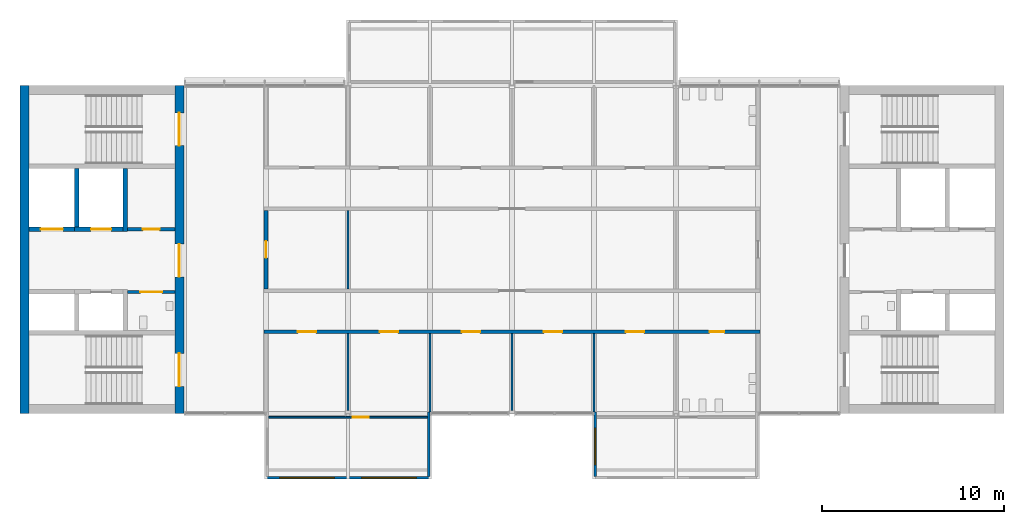
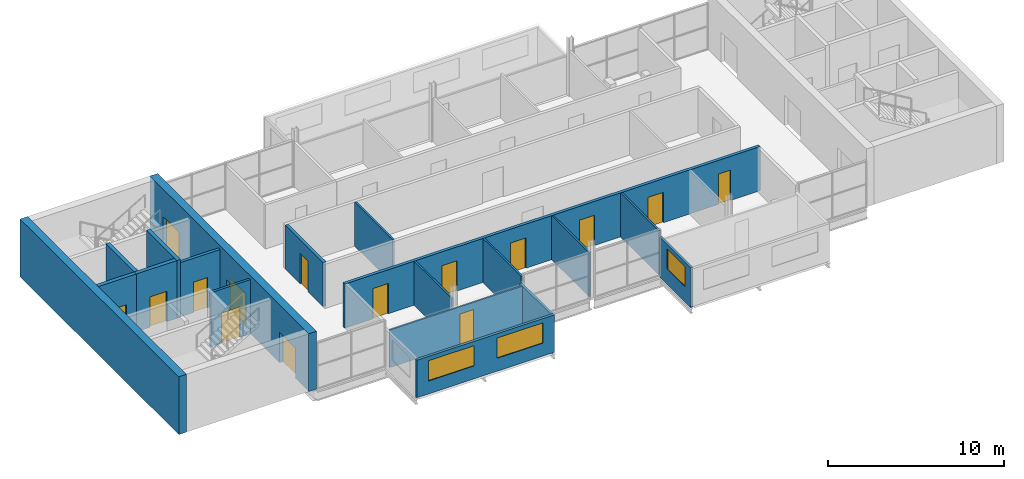
# One storey, part 5 of 10: 19 walls, 15 doors, 3 windows, 18 openings.
"""IFC4 building model written with IfcOpenShell, lengths in metres."""

from ifc_helpers import new_model, si_unit, direction, frame, frame_2d, origin, place, context, subcontext, project, spatial, rectangle, extrude, material, layer, layer_set, type_object, element, fill, save


model = new_model("IFC4")

# Units and contexts
model_context = context("Model", 3, precision=1e-05, world=origin(), true_north=direction((0.0, 1.0)))
body_context = subcontext(model_context, "Body", "Model", "MODEL_VIEW")
ifc_project = project(units=[si_unit("LENGTHUNIT", "METRE"), si_unit("AREAUNIT", "SQUARE_METRE"), si_unit("VOLUMEUNIT", "CUBIC_METRE"), si_unit("PLANEANGLEUNIT", "RADIAN"), si_unit("MASSUNIT", "GRAM", prefix="KILO")], contexts=[model_context])

# Site, building, storey
site_placement = place(None, origin())
site = spatial("IfcSite", under=ifc_project, at=site_placement, CompositionType="ELEMENT")
building_placement = place(site_placement, origin())
building = spatial("IfcBuilding", under=site, at=building_placement, Name="Corbel Yard City Hall", CompositionType="ELEMENT")
storey_placement = place(building_placement, frame((0.0, 0.0, 63.199951171875)))
storey = spatial("IfcBuildingStorey", under=building, at=storey_placement, Name="L15", CompositionType="ELEMENT", Elevation=63.199951171875)

# Walls
ifc_material_1 = material(Name="Concrete N40 (40 MPa)", Category="concrete")
ifc_layer_1 = layer(ifc_material_1, 0.25)
ifc_layer_set_1 = layer_set([ifc_layer_1], Name="Concrete N40 (40 MPa)")
wall_type_1 = type_object("IfcWallType", Name="IW2", PredefinedType="SOLIDWALL", material=ifc_layer_set_1)
wall_1_placement = place(storey_placement, frame((5.77490234375, 109.0, 0.0), z_axis=(0.0, 0.0, 1.0), x_axis=(0.0, 1.0, 0.0)))
element("IfcWall", 1, at=wall_1_placement, inside=storey, type_object=wall_type_1, Name="Lift LP24 shaft wall", PredefinedType="SOLIDWALL", context=body_context, shape_type="SweptSolid", body=[
    extrude(rectangle(XDim=3.449951171875, YDim=0.25, at=frame_2d((1.72509765625, 0.0))), origin(), (0.0, 0.0, 1.0), 4.0),
])
wall_2_placement = place(storey_placement, frame((3.125, 109.25, 0.0), z_axis=(0.0, 0.0, 1.0), x_axis=(0.0, 1.0, 0.0)))
element("IfcWall", 2, at=wall_2_placement, inside=storey, type_object=wall_type_1, Name="Lift LP24 shaft wall", PredefinedType="SOLIDWALL", context=body_context, shape_type="SweptSolid", body=[
    extrude(rectangle(XDim=3.199951171875, YDim=0.25, at=frame_2d((1.60009765625, 0.0))), origin(), (0.0, 0.0, 1.0), 4.0),
])

# Wall, opening, door
wall_3_placement = place(storey_placement, frame((5.64990234375, 109.125, 0.0), z_axis=(0.0, 0.0, 1.0), x_axis=(-1.0, 0.0, 0.0)))
wall_3 = element("IfcWall", 3, at=wall_3_placement, inside=storey, type_object=wall_type_1, Name="Lift LP24 shaft wall", PredefinedType="SOLIDWALL", context=body_context, shape_type="SweptSolid", body=[
    extrude(rectangle(XDim=2.64990234375, YDim=0.25, at=frame_2d((1.324951171875, 0.0))), origin(), (0.0, 0.0, 1.0), 4.0),
])
opening_1_placement = place(wall_3_placement, frame((0.64990234375, 0.0, 0.0)))
opening_1 = element("IfcOpeningElement", 4, at=opening_1_placement, cuts=wall_3, Name="Opening T4-005", PredefinedType="OPENING", context=body_context, shape_type="SweptSolid", body=[
    extrude(rectangle(XDim=1.10009765625, YDim=2.10009765625, at=frame_2d((0.550048828125, 1.050048828125))), frame((0.0, 0.135009765625, 0.0), z_axis=(0.0, -1.0, 0.0), x_axis=(1.0, 0.0, 0.0)), (0.0, 0.0, 1.0), 0.27001953125),
])
ifc_material_2 = material(Name="Stainless steel Grade 316", Category="steel")
door_type_1 = type_object("IfcDoorType", Name="LD1", OperationType="DOUBLE_DOOR_SLIDING", PredefinedType="DOOR", material=ifc_material_2)
door_1_placement = place(opening_1_placement, origin())
door_1 = element("IfcDoor", 5, at=door_1_placement, inside=storey, type_object=door_type_1, Name="Lift LP24 landing door", OperationType="DOUBLE_DOOR_SLIDING", OverallHeight=2.10009765625, OverallWidth=1.10009765625, PredefinedType="DOOR", context=body_context, shape_type="SweptSolid", body=[
    extrude(rectangle(XDim=1.10009765625, YDim=2.10009765625, at=frame_2d((0.550048828125, 1.050048828125))), frame((0.0, 0.02490234375, 0.0), z_axis=(0.0, -1.0, 0.0), x_axis=(1.0, 0.0, 0.0)), (0.0, 0.0, 1.0), 0.050048828125),
])
fill(opening_1, door_1)

wall_4_placement = place(storey_placement, frame((3.0, 109.125, 0.0), z_axis=(0.0, 0.0, 1.0), x_axis=(-1.0, 0.0, 0.0)))
wall_4 = element("IfcWall", 6, at=wall_4_placement, inside=storey, type_object=wall_type_1, Name="Lift LF1 shaft wall", PredefinedType="SOLIDWALL", context=body_context, shape_type="SweptSolid", body=[
    extrude(rectangle(XDim=2.5, YDim=0.25, at=frame_2d((1.25, 0.0))), origin(), (0.0, 0.0, 1.0), 4.0),
])
opening_2_placement = place(wall_4_placement, frame((0.64990234375, 0.0, 0.0)))
opening_2 = element("IfcOpeningElement", 7, at=opening_2_placement, cuts=wall_4, Name="Opening T4-006", PredefinedType="OPENING", context=body_context, shape_type="SweptSolid", body=[
    extrude(rectangle(XDim=1.199951171875, YDim=2.10009765625, at=frame_2d((0.60009765625, 1.050048828125))), frame((0.0, 0.135009765625, 0.0), z_axis=(0.0, -1.0, 0.0), x_axis=(1.0, 0.0, 0.0)), (0.0, 0.0, 1.0), 0.27001953125),
])
door_type_2 = type_object("IfcDoorType", Name="LD2", OperationType="DOUBLE_DOOR_SLIDING", PredefinedType="DOOR", material=ifc_material_2)
door_2_placement = place(opening_2_placement, origin())
door_2 = element("IfcDoor", 8, at=door_2_placement, inside=storey, type_object=door_type_2, Name="Lift LF1 landing door", OperationType="DOUBLE_DOOR_SLIDING", OverallHeight=2.10009765625, OverallWidth=1.199951171875, PredefinedType="DOOR", context=body_context, shape_type="SweptSolid", body=[
    extrude(rectangle(XDim=1.199951171875, YDim=2.10009765625, at=frame_2d((0.60009765625, 1.050048828125))), frame((0.0, 0.02490234375, 0.0), z_axis=(0.0, -1.0, 0.0), x_axis=(1.0, 0.0, 0.0)), (0.0, 0.0, 1.0), 0.050048828125),
])
fill(opening_2, door_2)

# Wall, openings, windows
ifc_material_3 = material(Name="Anodised aluminium", Category="aluminium")
ifc_layer_2 = layer(ifc_material_3, 0.02392578125)
ifc_material_4 = material(Name="Steel Grade G550 (550 MPa yield)", Category="steel")
ifc_layer_3 = layer(ifc_material_4, 0.10009765625)
ifc_material_5 = material(Name="Gypsum plasterboard", Category="gypsum")
ifc_layer_4 = layer(ifc_material_5, 0.02587890625)
ifc_layer_set_2 = layer_set([ifc_layer_2, ifc_layer_3, ifc_layer_4], Name="Steel Grade G550 (550 MPa yield)")
wall_type_2 = type_object("IfcWallType", Name="PD1", PredefinedType="SOLIDWALL", material=ifc_layer_set_2)
wall_5_placement = place(storey_placement, frame((13.5, 95.47509765625, 0.0), z_axis=(0.0, 0.0, 1.0), x_axis=(1.0, 0.0, 0.0)))
wall_5 = element("IfcWall", 9, at=wall_5_placement, inside=storey, type_object=wall_type_2, Name="Pod outer wall L15", PredefinedType="SOLIDWALL", context=body_context, shape_type="SweptSolid", body=[
    extrude(rectangle(XDim=9.0, YDim=0.14990234375, at=frame_2d((4.5, 0.0))), origin(), (0.0, 0.0, 1.0), 2.60009765625),
])
opening_3_placement = place(wall_5_placement, frame((0.75, 0.0, 0.89990234375)))
opening_3 = element("IfcOpeningElement", 10, at=opening_3_placement, cuts=wall_5, Name="Opening WN5", PredefinedType="OPENING", context=body_context, shape_type="SweptSolid", body=[
    extrude(rectangle(XDim=3.0, YDim=1.39990234375, at=frame_2d((1.5, 0.699951171875))), frame((0.0, 0.0849609375, 0.0), z_axis=(0.0, -1.0, 0.0), x_axis=(1.0, 0.0, 0.0)), (0.0, 0.0, 1.0), 0.169921875),
])
opening_4_placement = place(wall_5_placement, frame((5.25, 0.0, 0.89990234375)))
opening_4 = element("IfcOpeningElement", 11, at=opening_4_placement, cuts=wall_5, Name="Opening WN5", PredefinedType="OPENING", context=body_context, shape_type="SweptSolid", body=[
    extrude(rectangle(XDim=3.0, YDim=1.39990234375, at=frame_2d((1.5, 0.699951171875))), frame((0.0, 0.0849609375, 0.0), z_axis=(0.0, -1.0, 0.0), x_axis=(1.0, 0.0, 0.0)), (0.0, 0.0, 1.0), 0.169921875),
])
ifc_material_6 = material(Name="Aluminium frame, double glazed low-e glass", Category="aluminium")
window_type_1 = type_object("IfcWindowType", Name="WN5", PartitioningType="SINGLE_PANEL", PredefinedType="WINDOW", material=ifc_material_6)
window_1_placement = place(opening_3_placement, origin())
window_1 = element("IfcWindow", 12, at=window_1_placement, inside=storey, type_object=window_type_1, Name="Window WN5 L15", OverallHeight=1.39990234375, OverallWidth=3.0, PartitioningType="SINGLE_PANEL", PredefinedType="WINDOW", context=body_context, shape_type="SweptSolid", body=[
    extrude(rectangle(XDim=3.0, YDim=1.39990234375, at=frame_2d((1.5, 0.699951171875))), frame((0.0, 0.030029296875, 0.0), z_axis=(0.0, -1.0, 0.0), x_axis=(1.0, 0.0, 0.0)), (0.0, 0.0, 1.0), 0.06005859375),
])
fill(opening_3, window_1)
window_2_placement = place(opening_4_placement, origin())
window_2 = element("IfcWindow", 13, at=window_2_placement, inside=storey, type_object=window_type_1, Name="Window WN5 L15", OverallHeight=1.39990234375, OverallWidth=3.0, PartitioningType="SINGLE_PANEL", PredefinedType="WINDOW", context=body_context, shape_type="SweptSolid", body=[
    extrude(rectangle(XDim=3.0, YDim=1.39990234375, at=frame_2d((1.5, 0.699951171875))), frame((0.0, 0.030029296875, 0.0), z_axis=(0.0, -1.0, 0.0), x_axis=(1.0, 0.0, 0.0)), (0.0, 0.0, 1.0), 0.06005859375),
])
fill(opening_4, window_2)

# Wall, opening, door
ifc_layer_5 = layer(ifc_material_5, 0.01806640625)
ifc_layer_6 = layer(ifc_material_4, 0.06396484375)
ifc_layer_7 = layer(ifc_material_5, 0.01806640625)
ifc_layer_set_3 = layer_set([ifc_layer_5, ifc_layer_6, ifc_layer_7], Name="Steel Grade G550 (550 MPa yield)")
wall_type_3 = type_object("IfcWallType", Name="PD2", PredefinedType="PARTITIONING", material=ifc_layer_set_3)
wall_6_placement = place(storey_placement, frame((13.64990234375, 98.79638671875, 0.0), z_axis=(0.0, 0.0, 1.0), x_axis=(1.0, 0.0, 0.0)))
wall_6 = element("IfcWall", 14, at=wall_6_placement, inside=storey, type_object=wall_type_3, Name="Pod inner wall L15", PredefinedType="PARTITIONING", context=body_context, shape_type="SweptSolid", body=[
    extrude(rectangle(XDim=8.7001953125, YDim=0.10009765625, at=frame_2d((4.35009765625, 0.0))), origin(), (0.0, 0.0, 1.0), 2.60009765625),
])
opening_5_placement = place(wall_6_placement, frame((4.60009765625, 0.0, 0.0)))
opening_5 = element("IfcOpeningElement", 15, at=opening_5_placement, cuts=wall_6, Name="Opening T4-001", PredefinedType="OPENING", context=body_context, shape_type="SweptSolid", body=[
    extrude(rectangle(XDim=0.89990234375, YDim=2.10009765625, at=frame_2d((0.449951171875, 1.050048828125))), frame((0.0, 0.06005859375, 0.0), z_axis=(0.0, -1.0, 0.0), x_axis=(1.0, 0.0, 0.0)), (0.0, 0.0, 1.0), 0.1201171875),
])
ifc_material_7 = material(Name="Timber, solid core", Category="wood")
door_type_3 = type_object("IfcDoorType", Name="XD6", OperationType="SINGLE_SWING_LEFT", PredefinedType="DOOR", material=ifc_material_7)
door_3_placement = place(opening_5_placement, origin())
door_3 = element("IfcDoor", 16, at=door_3_placement, inside=storey, type_object=door_type_3, Name="Pod door L15", OperationType="SINGLE_SWING_LEFT", OverallHeight=2.10009765625, OverallWidth=0.89990234375, PredefinedType="DOOR", context=body_context, shape_type="SweptSolid", body=[
    extrude(rectangle(XDim=0.89990234375, YDim=2.10009765625, at=frame_2d((0.449951171875, 1.050048828125))), frame((0.0, 0.02490234375, 0.0), z_axis=(0.0, -1.0, 0.0), x_axis=(1.0, 0.0, 0.0)), (0.0, 0.0, 1.0), 0.050048828125),
])
fill(opening_5, door_3)

# Wall
ifc_layer_8 = layer(ifc_material_3, 0.02392578125)
ifc_layer_9 = layer(ifc_material_4, 0.10009765625)
ifc_layer_10 = layer(ifc_material_5, 0.02587890625)
ifc_layer_set_4 = layer_set([ifc_layer_8, ifc_layer_9, ifc_layer_10], Name="Steel Grade G550 (550 MPa yield)")
wall_type_4 = type_object("IfcWallType", Name="PD3", PredefinedType="SOLIDWALL", material=ifc_layer_set_4)
wall_7_placement = place(storey_placement, frame((22.425048828125, 95.550048828125, -0.14990234375), z_axis=(0.0, 0.0, 1.0), x_axis=(0.0, 1.0, 0.0)))
element("IfcWall", 17, at=wall_7_placement, inside=storey, type_object=wall_type_4, Name="Pod side wall L15", PredefinedType="SOLIDWALL", context=body_context, shape_type="SweptSolid", body=[
    extrude(rectangle(XDim=3.52490234375, YDim=0.14990234375, at=frame_2d((1.762451171875, 0.0))), origin(), (0.0, 0.0, 1.0), 2.75),
])

# Wall, opening, window
wall_8_placement = place(storey_placement, frame((31.574951171875, 95.550048828125, -0.14990234375), z_axis=(0.0, 0.0, 1.0), x_axis=(0.0, 1.0, 0.0)))
wall_8 = element("IfcWall", 18, at=wall_8_placement, inside=storey, type_object=wall_type_4, Name="Pod side wall L15", PredefinedType="SOLIDWALL", context=body_context, shape_type="SweptSolid", body=[
    extrude(rectangle(XDim=3.52490234375, YDim=0.14990234375, at=frame_2d((1.762451171875, 0.0))), origin(), (0.0, 0.0, 1.0), 2.75),
])
opening_6_placement = place(wall_8_placement, frame((0.648193359375, 0.0, 1.050048828125)))
opening_6 = element("IfcOpeningElement", 19, at=opening_6_placement, cuts=wall_8, Name="Opening WN6", PredefinedType="OPENING", context=body_context, shape_type="SweptSolid", body=[
    extrude(rectangle(XDim=2.0, YDim=1.39990234375, at=frame_2d((1.0, 0.699951171875))), frame((0.0, 0.0849609375, 0.0), z_axis=(0.0, -1.0, 0.0), x_axis=(1.0, 0.0, 0.0)), (0.0, 0.0, 1.0), 0.169921875),
])
window_type_2 = type_object("IfcWindowType", Name="WN6", PartitioningType="SINGLE_PANEL", PredefinedType="WINDOW", material=ifc_material_6)
window_3_placement = place(opening_6_placement, origin())
window_3 = element("IfcWindow", 20, at=window_3_placement, inside=storey, type_object=window_type_2, Name="Window WN6 L15", OverallHeight=1.39990234375, OverallWidth=2.0, PartitioningType="SINGLE_PANEL", PredefinedType="WINDOW", context=body_context, shape_type="SweptSolid", body=[
    extrude(rectangle(XDim=2.0, YDim=1.39990234375, at=frame_2d((1.0, 0.699951171875))), frame((0.0, 0.030029296875, 0.0), z_axis=(0.0, -1.0, 0.0), x_axis=(1.0, 0.0, 0.0)), (0.0, 0.0, 1.0), 0.06005859375),
])
fill(opening_6, window_3)

# Walls
ifc_layer_11 = layer(ifc_material_5, 0.028076171875)
ifc_layer_12 = layer(ifc_material_4, 0.06396484375)
ifc_layer_13 = layer(ifc_material_5, 0.028076171875)
ifc_layer_set_5 = layer_set([ifc_layer_11, ifc_layer_12, ifc_layer_13], Name="Steel Grade G550 (550 MPa yield)")
wall_type_5 = type_object("IfcWallType", Name="PT1", PredefinedType="PARTITIONING", material=ifc_layer_set_5)
wall_9_placement = place(storey_placement, frame((18.0, 99.157470703125, 0.0), z_axis=(0.0, 0.0, 1.0), x_axis=(0.0, 1.0, 0.0)))
element("IfcWall", 21, at=wall_9_placement, inside=storey, type_object=wall_type_5, Name="Partition", PredefinedType="PARTITIONING", context=body_context, shape_type="SweptSolid", body=[
    extrude(rectangle(XDim=4.242431640625, YDim=0.1201171875, at=frame_2d((2.12109375, 0.0))), origin(), (0.0, 0.0, 1.0), 3.050048828125),
])
wall_10_placement = place(storey_placement, frame((18.0, 105.85009765625, 0.0), z_axis=(0.0, 0.0, 1.0), x_axis=(0.0, 1.0, 0.0)))
element("IfcWall", 22, at=wall_10_placement, inside=storey, type_object=wall_type_5, Name="Partition", PredefinedType="PARTITIONING", context=body_context, shape_type="SweptSolid", body=[
    extrude(rectangle(XDim=4.2998046875, YDim=0.1201171875, at=frame_2d((2.14990234375, 0.0))), origin(), (0.0, 0.0, 1.0), 3.050048828125),
])
wall_11_placement = place(storey_placement, frame((22.5, 99.074951171875, 0.0), z_axis=(0.0, 0.0, 1.0), x_axis=(0.0, 1.0, 0.0)))
element("IfcWall", 23, at=wall_11_placement, inside=storey, type_object=wall_type_5, Name="Partition", PredefinedType="PARTITIONING", context=body_context, shape_type="SweptSolid", body=[
    extrude(rectangle(XDim=4.324951171875, YDim=0.1201171875, at=frame_2d((2.16259765625, 0.0))), origin(), (0.0, 0.0, 1.0), 3.050048828125),
])
wall_12_placement = place(storey_placement, frame((27.0, 99.157470703125, 0.0), z_axis=(0.0, 0.0, 1.0), x_axis=(0.0, 1.0, 0.0)))
element("IfcWall", 24, at=wall_12_placement, inside=storey, type_object=wall_type_5, Name="Partition", PredefinedType="PARTITIONING", context=body_context, shape_type="SweptSolid", body=[
    extrude(rectangle(XDim=4.242431640625, YDim=0.1201171875, at=frame_2d((2.12109375, 0.0))), origin(), (0.0, 0.0, 1.0), 3.050048828125),
])
wall_13_placement = place(storey_placement, frame((31.5, 99.074951171875, 0.0), z_axis=(0.0, 0.0, 1.0), x_axis=(0.0, 1.0, 0.0)))
element("IfcWall", 25, at=wall_13_placement, inside=storey, type_object=wall_type_5, Name="Partition", PredefinedType="PARTITIONING", context=body_context, shape_type="SweptSolid", body=[
    extrude(rectangle(XDim=4.324951171875, YDim=0.1201171875, at=frame_2d((2.16259765625, 0.0))), origin(), (0.0, 0.0, 1.0), 3.050048828125),
])

# Wall, openings, doors
ifc_layer_14 = layer(ifc_material_5, 0.031982421875)
ifc_layer_15 = layer(ifc_material_4, 0.135986328125)
ifc_layer_16 = layer(ifc_material_5, 0.031982421875)
ifc_layer_set_6 = layer_set([ifc_layer_14, ifc_layer_15, ifc_layer_16], Name="Steel Grade G550 (550 MPa yield)")
wall_type_6 = type_object("IfcWallType", Name="PT2", PredefinedType="PARTITIONING", material=ifc_layer_set_6)
wall_14_placement = place(storey_placement, frame((13.39990234375, 103.5, 0.0), z_axis=(0.0, 0.0, 1.0), x_axis=(1.0, 0.0, 0.0)))
wall_14 = element("IfcWall", 26, at=wall_14_placement, inside=storey, type_object=wall_type_6, Name="Acoustic wall", PredefinedType="PARTITIONING", context=body_context, shape_type="SweptSolid", body=[
    extrude(rectangle(XDim=27.2001953125, YDim=0.199951171875, at=frame_2d((13.60009765625, 0.0))), origin(), (0.0, 0.0, 1.0), 3.050048828125),
])
opening_7_placement = place(wall_14_placement, frame((1.85009765625, 0.0, 0.0)))
opening_7 = element("IfcOpeningElement", 27, at=opening_7_placement, cuts=wall_14, Name="Opening T4-014", PredefinedType="OPENING", context=body_context, shape_type="SweptSolid", body=[
    extrude(rectangle(XDim=1.0, YDim=2.10009765625, at=frame_2d((0.5, 1.050048828125))), frame((0.0, 0.10986328125, 0.0), z_axis=(0.0, -1.0, 0.0), x_axis=(1.0, 0.0, 0.0)), (0.0, 0.0, 1.0), 0.219970703125),
])
opening_8_placement = place(wall_14_placement, frame((6.35009765625, 0.0, 0.0)))
opening_8 = element("IfcOpeningElement", 28, at=opening_8_placement, cuts=wall_14, Name="Opening T4-015", PredefinedType="OPENING", context=body_context, shape_type="SweptSolid", body=[
    extrude(rectangle(XDim=1.0, YDim=2.10009765625, at=frame_2d((0.5, 1.050048828125))), frame((0.0, 0.10986328125, 0.0), z_axis=(0.0, -1.0, 0.0), x_axis=(1.0, 0.0, 0.0)), (0.0, 0.0, 1.0), 0.219970703125),
])
opening_9_placement = place(wall_14_placement, frame((10.85009765625, 0.0, 0.0)))
opening_9 = element("IfcOpeningElement", 29, at=opening_9_placement, cuts=wall_14, Name="Opening T4-016", PredefinedType="OPENING", context=body_context, shape_type="SweptSolid", body=[
    extrude(rectangle(XDim=1.0, YDim=2.10009765625, at=frame_2d((0.5, 1.050048828125))), frame((0.0, 0.10986328125, 0.0), z_axis=(0.0, -1.0, 0.0), x_axis=(1.0, 0.0, 0.0)), (0.0, 0.0, 1.0), 0.219970703125),
])
opening_10_placement = place(wall_14_placement, frame((15.35009765625, 0.0, 0.0)))
opening_10 = element("IfcOpeningElement", 30, at=opening_10_placement, cuts=wall_14, Name="Opening T4-017", PredefinedType="OPENING", context=body_context, shape_type="SweptSolid", body=[
    extrude(rectangle(XDim=1.0, YDim=2.10009765625, at=frame_2d((0.5, 1.050048828125))), frame((0.0, 0.10986328125, 0.0), z_axis=(0.0, -1.0, 0.0), x_axis=(1.0, 0.0, 0.0)), (0.0, 0.0, 1.0), 0.219970703125),
])
opening_11_placement = place(wall_14_placement, frame((19.85009765625, 0.0, 0.0)))
opening_11 = element("IfcOpeningElement", 31, at=opening_11_placement, cuts=wall_14, Name="Opening T4-018", PredefinedType="OPENING", context=body_context, shape_type="SweptSolid", body=[
    extrude(rectangle(XDim=1.0, YDim=2.10009765625, at=frame_2d((0.5, 1.050048828125))), frame((0.0, 0.10986328125, 0.0), z_axis=(0.0, -1.0, 0.0), x_axis=(1.0, 0.0, 0.0)), (0.0, 0.0, 1.0), 0.219970703125),
])
opening_12_placement = place(wall_14_placement, frame((24.449951171875, 0.0, 0.0)))
opening_12 = element("IfcOpeningElement", 32, at=opening_12_placement, cuts=wall_14, Name="Opening T4-019", PredefinedType="OPENING", context=body_context, shape_type="SweptSolid", body=[
    extrude(rectangle(XDim=0.800048828125, YDim=2.10009765625, at=frame_2d((0.39990234375, 1.050048828125))), frame((0.0, 0.10986328125, 0.0), z_axis=(0.0, -1.0, 0.0), x_axis=(1.0, 0.0, 0.0)), (0.0, 0.0, 1.0), 0.219970703125),
])
ifc_material_8 = material(Name="Timber", Category="wood")
door_type_4 = type_object("IfcDoorType", Name="D1", OperationType="SINGLE_SWING_LEFT", PredefinedType="DOOR", material=ifc_material_8)
door_4_placement = place(opening_7_placement, frame((1.0, 0.0, 0.0), z_axis=(0.0, 0.0, 1.0), x_axis=(-1.0, 0.0, 0.0)))
door_4 = element("IfcDoor", 33, at=door_4_placement, inside=storey, type_object=door_type_4, Name="Door Officer's Office 1512", OperationType="SINGLE_SWING_RIGHT", OverallHeight=2.10009765625, OverallWidth=1.0, PredefinedType="DOOR", context=body_context, shape_type="SweptSolid", body=[
    extrude(rectangle(XDim=1.0, YDim=2.10009765625, at=frame_2d((0.5, 1.050048828125))), frame((0.0, 0.02490234375, 0.0), z_axis=(0.0, -1.0, 0.0), x_axis=(1.0, 0.0, 0.0)), (0.0, 0.0, 1.0), 0.050048828125),
])
fill(opening_7, door_4)
door_5_placement = place(opening_8_placement, frame((1.0, 0.0, 0.0), z_axis=(0.0, 0.0, 1.0), x_axis=(-1.0, 0.0, 0.0)))
door_5 = element("IfcDoor", 34, at=door_5_placement, inside=storey, type_object=door_type_4, Name="Door Officer's Office 1513", OperationType="SINGLE_SWING_RIGHT", OverallHeight=2.10009765625, OverallWidth=1.0, PredefinedType="DOOR", context=body_context, shape_type="SweptSolid", body=[
    extrude(rectangle(XDim=1.0, YDim=2.10009765625, at=frame_2d((0.5, 1.050048828125))), frame((0.0, 0.02490234375, 0.0), z_axis=(0.0, -1.0, 0.0), x_axis=(1.0, 0.0, 0.0)), (0.0, 0.0, 1.0), 0.050048828125),
])
fill(opening_8, door_5)
door_6_placement = place(opening_9_placement, frame((1.0, 0.0, 0.0), z_axis=(0.0, 0.0, 1.0), x_axis=(-1.0, 0.0, 0.0)))
door_6 = element("IfcDoor", 35, at=door_6_placement, inside=storey, type_object=door_type_4, Name="Door Officer's Office 1514", OperationType="SINGLE_SWING_RIGHT", OverallHeight=2.10009765625, OverallWidth=1.0, PredefinedType="DOOR", context=body_context, shape_type="SweptSolid", body=[
    extrude(rectangle(XDim=1.0, YDim=2.10009765625, at=frame_2d((0.5, 1.050048828125))), frame((0.0, 0.02490234375, 0.0), z_axis=(0.0, -1.0, 0.0), x_axis=(1.0, 0.0, 0.0)), (0.0, 0.0, 1.0), 0.050048828125),
])
fill(opening_9, door_6)
door_7_placement = place(opening_10_placement, frame((1.0, 0.0, 0.0), z_axis=(0.0, 0.0, 1.0), x_axis=(-1.0, 0.0, 0.0)))
door_7 = element("IfcDoor", 36, at=door_7_placement, inside=storey, type_object=door_type_4, Name="Door Officer's Office 1515", OperationType="SINGLE_SWING_RIGHT", OverallHeight=2.10009765625, OverallWidth=1.0, PredefinedType="DOOR", context=body_context, shape_type="SweptSolid", body=[
    extrude(rectangle(XDim=1.0, YDim=2.10009765625, at=frame_2d((0.5, 1.050048828125))), frame((0.0, 0.02490234375, 0.0), z_axis=(0.0, -1.0, 0.0), x_axis=(1.0, 0.0, 0.0)), (0.0, 0.0, 1.0), 0.050048828125),
])
fill(opening_10, door_7)
door_8_placement = place(opening_11_placement, frame((1.0, 0.0, 0.0), z_axis=(0.0, 0.0, 1.0), x_axis=(-1.0, 0.0, 0.0)))
door_8 = element("IfcDoor", 37, at=door_8_placement, inside=storey, type_object=door_type_4, Name="Door Officer's Office 1516", OperationType="SINGLE_SWING_RIGHT", OverallHeight=2.10009765625, OverallWidth=1.0, PredefinedType="DOOR", context=body_context, shape_type="SweptSolid", body=[
    extrude(rectangle(XDim=1.0, YDim=2.10009765625, at=frame_2d((0.5, 1.050048828125))), frame((0.0, 0.02490234375, 0.0), z_axis=(0.0, -1.0, 0.0), x_axis=(1.0, 0.0, 0.0)), (0.0, 0.0, 1.0), 0.050048828125),
])
fill(opening_11, door_8)
door_type_5 = type_object("IfcDoorType", Name="D44", OperationType="SINGLE_SWING_LEFT", PredefinedType="DOOR", material=ifc_material_8)
door_9_placement = place(opening_12_placement, frame((0.800048828125, 0.0, 0.0), z_axis=(0.0, 0.0, 1.0), x_axis=(-1.0, 0.0, 0.0)))
door_9 = element("IfcDoor", 38, at=door_9_placement, inside=storey, type_object=door_type_5, Name="Door Women's WC 1517", OperationType="SINGLE_SWING_RIGHT", OverallHeight=2.10009765625, OverallWidth=0.800048828125, PredefinedType="DOOR", context=body_context, shape_type="SweptSolid", body=[
    extrude(rectangle(XDim=0.800048828125, YDim=2.10009765625, at=frame_2d((0.39990234375, 1.050048828125))), frame((0.0, 0.02490234375, 0.0), z_axis=(0.0, -1.0, 0.0), x_axis=(1.0, 0.0, 0.0)), (0.0, 0.0, 1.0), 0.050048828125),
])
fill(opening_12, door_9)

# Wall, opening, door
wall_15_placement = place(storey_placement, frame((13.5, 105.85009765625, 0.0), z_axis=(0.0, 0.0, 1.0), x_axis=(0.0, 1.0, 0.0)))
wall_15 = element("IfcWall", 39, at=wall_15_placement, inside=storey, type_object=wall_type_6, Name="Acoustic wall", PredefinedType="PARTITIONING", context=body_context, shape_type="SweptSolid", body=[
    extrude(rectangle(XDim=4.2998046875, YDim=0.199951171875, at=frame_2d((2.14990234375, 0.0))), origin(), (0.0, 0.0, 1.0), 3.050048828125),
])
opening_13_placement = place(wall_15_placement, frame((1.68994140625, 0.0, 0.0)))
opening_13 = element("IfcOpeningElement", 40, at=opening_13_placement, cuts=wall_15, Name="Opening T4-012", PredefinedType="OPENING", context=body_context, shape_type="SweptSolid", body=[
    extrude(rectangle(XDim=0.919921875, YDim=2.10009765625, at=frame_2d((0.4599609375, 1.050048828125))), frame((0.0, 0.10986328125, 0.0), z_axis=(0.0, -1.0, 0.0), x_axis=(1.0, 0.0, 0.0)), (0.0, 0.0, 1.0), 0.219970703125),
])
door_type_6 = type_object("IfcDoorType", Name="D4", OperationType="SINGLE_SWING_LEFT", PredefinedType="DOOR", material=ifc_material_8)
door_10_placement = place(opening_13_placement, frame((0.919921875, 0.0, 0.0), z_axis=(0.0, 0.0, 1.0), x_axis=(-1.0, 0.0, 0.0)))
door_10 = element("IfcDoor", 41, at=door_10_placement, inside=storey, type_object=door_type_6, Name="Door Print Room 1510", OperationType="SINGLE_SWING_RIGHT", OverallHeight=2.10009765625, OverallWidth=0.919921875, PredefinedType="DOOR", context=body_context, shape_type="SweptSolid", body=[
    extrude(rectangle(XDim=0.919921875, YDim=2.10009765625, at=frame_2d((0.4599609375, 1.050048828125))), frame((0.0, 0.02490234375, 0.0), z_axis=(0.0, -1.0, 0.0), x_axis=(1.0, 0.0, 0.0)), (0.0, 0.0, 1.0), 0.050048828125),
])
fill(opening_13, door_10)

ifc_layer_17 = layer(ifc_material_5, 0.031982421875)
ifc_layer_18 = layer(ifc_material_4, 0.095947265625)
ifc_layer_19 = layer(ifc_material_5, 0.031982421875)
ifc_layer_set_7 = layer_set([ifc_layer_17, ifc_layer_18, ifc_layer_19], Name="Steel Grade G550 (550 MPa yield)")
wall_type_7 = type_object("IfcWallType", Name="PT3", PredefinedType="PARTITIONING", material=ifc_layer_set_7)
wall_16_placement = place(storey_placement, frame((8.5, 105.675048828125, 0.0), z_axis=(0.0, 0.0, 1.0), x_axis=(-1.0, 0.0, 0.0)))
wall_16 = element("IfcWall", 42, at=wall_16_placement, inside=storey, type_object=wall_type_7, Name="Accessible WC wall", PredefinedType="PARTITIONING", context=body_context, shape_type="SweptSolid", body=[
    extrude(rectangle(XDim=2.60009765625, YDim=0.159912109375, at=frame_2d((1.300048828125, 0.0))), origin(), (0.0, 0.0, 1.0), 3.75),
])
opening_14_placement = place(wall_16_placement, frame((0.699951171875, 0.0, 0.0)))
opening_14 = element("IfcOpeningElement", 43, at=opening_14_placement, cuts=wall_16, Name="Opening T4-029", PredefinedType="OPENING", context=body_context, shape_type="SweptSolid", body=[
    extrude(rectangle(XDim=1.199951171875, YDim=2.10009765625, at=frame_2d((0.60009765625, 1.050048828125))), frame((0.0, 0.08984375, 0.0), z_axis=(0.0, -1.0, 0.0), x_axis=(1.0, 0.0, 0.0)), (0.0, 0.0, 1.0), 0.179931640625),
])
ifc_material_9 = material(Name="Steel Grade G250", Category="steel")
door_type_7 = type_object("IfcDoorType", Name="FD7", OperationType="SINGLE_SWING_LEFT", PredefinedType="DOOR", material=ifc_material_9)
door_11_placement = place(opening_14_placement, origin())
door_11 = element("IfcDoor", 44, at=door_11_placement, inside=storey, type_object=door_type_7, Name="Door accessible WC West", OperationType="SINGLE_SWING_LEFT", OverallHeight=2.10009765625, OverallWidth=1.199951171875, PredefinedType="DOOR", context=body_context, shape_type="SweptSolid", body=[
    extrude(rectangle(XDim=1.199951171875, YDim=2.10009765625, at=frame_2d((0.60009765625, 1.050048828125))), frame((0.0, 0.02490234375, 0.0), z_axis=(0.0, -1.0, 0.0), x_axis=(1.0, 0.0, 0.0)), (0.0, 0.0, 1.0), 0.050048828125),
])
fill(opening_14, door_11)

ifc_material_10 = material(Name="Concrete block", Category="concrete")
ifc_layer_20 = layer(ifc_material_10, 0.18994140625)
ifc_layer_set_8 = layer_set([ifc_layer_20], Name="Concrete block")
wall_type_8 = type_object("IfcWallType", Name="PT4", PredefinedType="PARTITIONING", material=ifc_layer_set_8)
wall_17_placement = place(storey_placement, frame((8.5, 109.125, 0.0), z_axis=(0.0, 0.0, 1.0), x_axis=(-1.0, 0.0, 0.0)))
wall_17 = element("IfcWall", 45, at=wall_17_placement, inside=storey, type_object=wall_type_8, Name="Riser wall", PredefinedType="PARTITIONING", context=body_context, shape_type="SweptSolid", body=[
    extrude(rectangle(XDim=2.60009765625, YDim=0.18994140625, at=frame_2d((1.300048828125, 0.0))), origin(), (0.0, 0.0, 1.0), 3.75),
])
opening_15_placement = place(wall_17_placement, frame((0.840087890625, 0.0, 0.0)))
opening_15 = element("IfcOpeningElement", 46, at=opening_15_placement, cuts=wall_17, Name="Opening T4-030", PredefinedType="OPENING", context=body_context, shape_type="SweptSolid", body=[
    extrude(rectangle(XDim=0.919921875, YDim=2.10009765625, at=frame_2d((0.4599609375, 1.050048828125))), frame((0.0, 0.10498046875, 0.0), z_axis=(0.0, -1.0, 0.0), x_axis=(1.0, 0.0, 0.0)), (0.0, 0.0, 1.0), 0.2099609375),
])
door_type_8 = type_object("IfcDoorType", Name="FS4", OperationType="SINGLE_SWING_LEFT", PredefinedType="DOOR", material=ifc_material_9)
door_12_placement = place(opening_15_placement, frame((0.919921875, 0.0, 0.0), z_axis=(0.0, 0.0, 1.0), x_axis=(-1.0, 0.0, 0.0)))
door_12 = element("IfcDoor", 47, at=door_12_placement, inside=storey, type_object=door_type_8, Name="Door riser West", OperationType="SINGLE_SWING_RIGHT", OverallHeight=2.10009765625, OverallWidth=0.919921875, PredefinedType="DOOR", context=body_context, shape_type="SweptSolid", body=[
    extrude(rectangle(XDim=0.919921875, YDim=2.10009765625, at=frame_2d((0.4599609375, 1.050048828125))), frame((0.0, 0.02490234375, 0.0), z_axis=(0.0, -1.0, 0.0), x_axis=(1.0, 0.0, 0.0)), (0.0, 0.0, 1.0), 0.050048828125),
])
fill(opening_15, door_12)

# Wall
ifc_material_11 = material(Name="Concrete N50 (50 MPa)", Category="concrete")
ifc_layer_21 = layer(ifc_material_11, 0.5)
ifc_layer_set_9 = layer_set([ifc_layer_21], Name="Concrete N50 (50 MPa)")
wall_type_9 = type_object("IfcWallType", Name="Trunk wall 500", PredefinedType="SHEAR", material=ifc_layer_set_9)
wall_18_placement = place(storey_placement, frame((0.25, 99.0, 0.0), z_axis=(0.0, 0.0, 1.0), x_axis=(0.0, 1.0, 0.0)))
element("IfcWall", 48, at=wall_18_placement, inside=storey, type_object=wall_type_9, Name="Trunk W west wall", PredefinedType="SHEAR", context=body_context, shape_type="SweptSolid", body=[
    extrude(rectangle(XDim=18.0, YDim=0.5, at=frame_2d((9.0, 0.0))), origin(), (0.0, 0.0, 1.0), 4.0),
])

# Wall, openings, doors
wall_19_placement = place(storey_placement, frame((8.75, 99.0, 0.0), z_axis=(0.0, 0.0, 1.0), x_axis=(0.0, 1.0, 0.0)))
wall_19 = element("IfcWall", 49, at=wall_19_placement, inside=storey, type_object=wall_type_9, Name="Trunk W east wall", PredefinedType="SHEAR", context=body_context, shape_type="SweptSolid", body=[
    extrude(rectangle(XDim=18.0, YDim=0.5, at=frame_2d((9.0, 0.0))), origin(), (0.0, 0.0, 1.0), 4.0),
])
opening_16_placement = place(wall_19_placement, frame((1.5, 0.0, 0.0)))
opening_16 = element("IfcOpeningElement", 50, at=opening_16_placement, cuts=wall_19, Name="Opening T4-026", PredefinedType="OPENING", context=body_context, shape_type="SweptSolid", body=[
    extrude(rectangle(XDim=1.800048828125, YDim=2.10009765625, at=frame_2d((0.89990234375, 1.050048828125))), frame((0.0, 0.260009765625, 0.0), z_axis=(0.0, -1.0, 0.0), x_axis=(1.0, 0.0, 0.0)), (0.0, 0.0, 1.0), 0.52001953125),
])
opening_17_placement = place(wall_19_placement, frame((14.699951171875, 0.0, 0.0)))
opening_17 = element("IfcOpeningElement", 51, at=opening_17_placement, cuts=wall_19, Name="Opening T4-027", PredefinedType="OPENING", context=body_context, shape_type="SweptSolid", body=[
    extrude(rectangle(XDim=1.800048828125, YDim=2.10009765625, at=frame_2d((0.89990234375, 1.050048828125))), frame((0.0, 0.260009765625, 0.0), z_axis=(0.0, -1.0, 0.0), x_axis=(1.0, 0.0, 0.0)), (0.0, 0.0, 1.0), 0.52001953125),
])
opening_18_placement = place(wall_19_placement, frame((7.5, 0.0, 0.0)))
opening_18 = element("IfcOpeningElement", 52, at=opening_18_placement, cuts=wall_19, Name="Opening T4-028", PredefinedType="OPENING", context=body_context, shape_type="SweptSolid", body=[
    extrude(rectangle(XDim=1.800048828125, YDim=2.10009765625, at=frame_2d((0.89990234375, 1.050048828125))), frame((0.0, 0.260009765625, 0.0), z_axis=(0.0, -1.0, 0.0), x_axis=(1.0, 0.0, 0.0)), (0.0, 0.0, 1.0), 0.52001953125),
])
door_type_9 = type_object("IfcDoorType", Name="FS3", OperationType="DOUBLE_DOOR_SINGLE_SWING", PredefinedType="DOOR", material=ifc_material_9)
door_13_placement = place(opening_16_placement, origin())
door_13 = element("IfcDoor", 53, at=door_13_placement, inside=storey, type_object=door_type_9, Name="Door ST-W1", OperationType="DOUBLE_DOOR_SINGLE_SWING", OverallHeight=2.10009765625, OverallWidth=1.800048828125, PredefinedType="DOOR", context=body_context, shape_type="SweptSolid", body=[
    extrude(rectangle(XDim=1.800048828125, YDim=2.10009765625, at=frame_2d((0.89990234375, 1.050048828125))), frame((0.0, 0.02490234375, 0.0), z_axis=(0.0, -1.0, 0.0), x_axis=(1.0, 0.0, 0.0)), (0.0, 0.0, 1.0), 0.050048828125),
])
fill(opening_16, door_13)
door_14_placement = place(opening_17_placement, origin())
door_14 = element("IfcDoor", 54, at=door_14_placement, inside=storey, type_object=door_type_9, Name="Door ST-W2", OperationType="DOUBLE_DOOR_SINGLE_SWING", OverallHeight=2.10009765625, OverallWidth=1.800048828125, PredefinedType="DOOR", context=body_context, shape_type="SweptSolid", body=[
    extrude(rectangle(XDim=1.800048828125, YDim=2.10009765625, at=frame_2d((0.89990234375, 1.050048828125))), frame((0.0, 0.02490234375, 0.0), z_axis=(0.0, -1.0, 0.0), x_axis=(1.0, 0.0, 0.0)), (0.0, 0.0, 1.0), 0.050048828125),
])
fill(opening_17, door_14)
door_15_placement = place(opening_18_placement, origin())
door_15 = element("IfcDoor", 55, at=door_15_placement, inside=storey, type_object=door_type_9, Name="Door lift lobby West", OperationType="DOUBLE_DOOR_SINGLE_SWING", OverallHeight=2.10009765625, OverallWidth=1.800048828125, PredefinedType="DOOR", context=body_context, shape_type="SweptSolid", body=[
    extrude(rectangle(XDim=1.800048828125, YDim=2.10009765625, at=frame_2d((0.89990234375, 1.050048828125))), frame((0.0, 0.02490234375, 0.0), z_axis=(0.0, -1.0, 0.0), x_axis=(1.0, 0.0, 0.0)), (0.0, 0.0, 1.0), 0.050048828125),
])
fill(opening_18, door_15)

save(model, "model.ifc")
